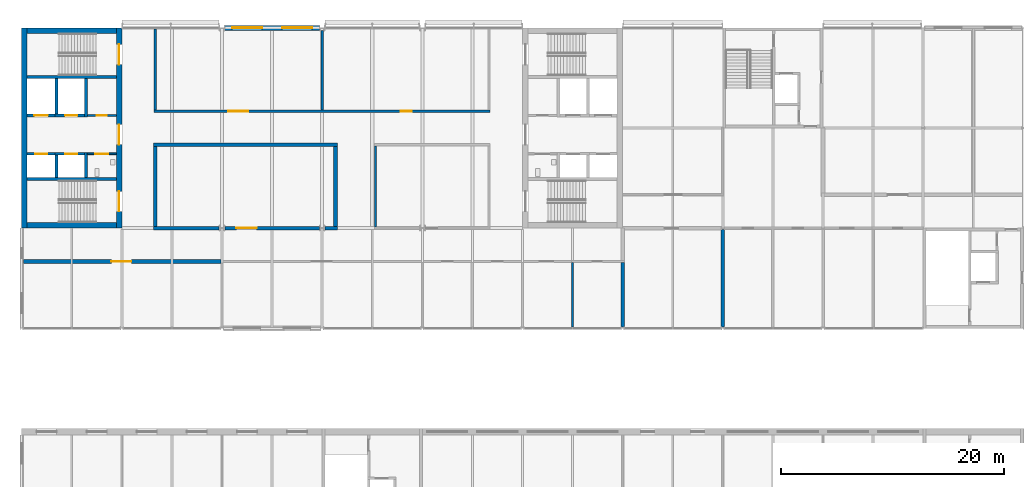
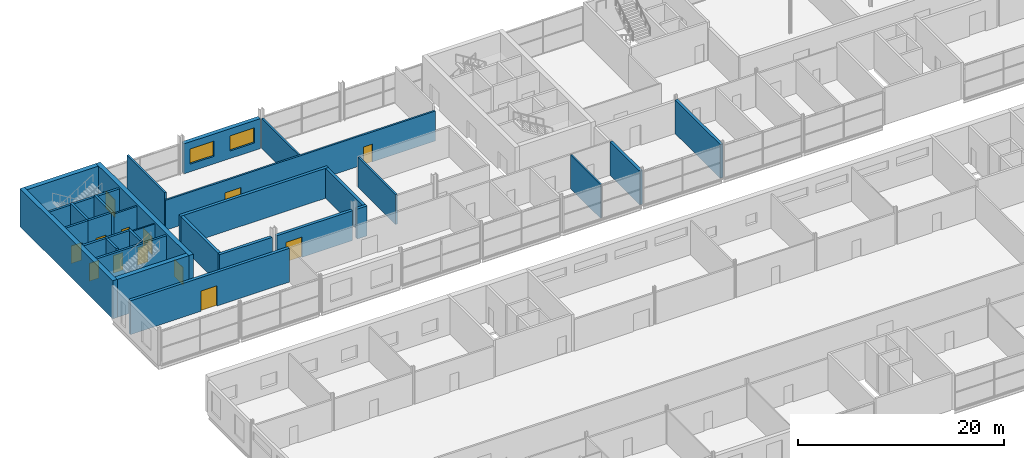
# One storey, part 119 of 138: 31 walls, 13 doors, 2 windows, 15 openings.
"""IFC4 building model written with IfcOpenShell, lengths in metres."""

import ifcopenshell
import ifcopenshell.guid

model = None  # the IFC model being written
_history = None  # IfcOwnerHistory: only IFC2X3 demands one
_inside = {}  # id of a spatial element -> (the spatial element, [elements in it])
_under = {}  # id of a project, library or spatial element -> (it, [spatial elements below it])
_declared = {}  # id of a project -> (the project, [libraries it declares])
_typed = {}  # id of a type object -> (the type object, [elements of that type])
_made_of = {}  # id of a material, layer set ... -> (it, [elements and type objects made of it])


def new_model(schema):
    """Start an empty IFC model of exactly this schema.

    Asked for "IFC4X3", IfcOpenShell would pick the latest addendum, in which some entities
    have other attributes; the version numbers below select the first issue.
    IFC2X3 requires an IfcOwnerHistory on every rooted entity: one is made here for all.
    """
    global model, _history
    if schema == "IFC4X3":
        model = ifcopenshell.file(schema_version=(4, 3, 0, 0))
    else:
        model = ifcopenshell.file(schema=schema)
    _inside.clear()
    _under.clear()
    _declared.clear()
    _typed.clear()
    _made_of.clear()
    _history = None
    if model.schema == "IFC2X3":
        org = make("IfcOrganization", Name="unknown")
        user = make(
            "IfcPersonAndOrganization",
            ThePerson=make("IfcPerson", FamilyName="unknown"),
            TheOrganization=org,
        )
        app = make(
            "IfcApplication",
            ApplicationDeveloper=org,
            Version="unknown",
            ApplicationFullName="unknown",
            ApplicationIdentifier="unknown",
        )
        _history = make(
            "IfcOwnerHistory",
            OwningUser=user,
            OwningApplication=app,
            ChangeAction="ADDED",
            CreationDate=0,
        )
    return model


def make(cls, **values):
    """One entity of the class cls with the attributes given. An attribute that is None is left unset."""
    return model.create_entity(
        cls, **{name: value for name, value in values.items() if value is not None}
    )


def rooted(cls, **values):
    """An entity with a GlobalId (a new one), such as an element, a storey or a relation."""
    return make(cls, GlobalId=ifcopenshell.guid.new(), OwnerHistory=_history, **values)


def si_unit(unit_type, name, prefix=None):
    """IfcSIUnit, for example si_unit("LENGTHUNIT", "METRE", prefix="MILLI")."""
    return make("IfcSIUnit", UnitType=unit_type, Prefix=prefix, Name=name)


def assignment(units):
    """IfcUnitAssignment: the units of a project."""
    return None if units is None else make("IfcUnitAssignment", Units=units)


def point(xyz):
    """IfcCartesianPoint."""
    return None if xyz is None else make("IfcCartesianPoint", Coordinates=xyz)


def direction(xyz):
    """IfcDirection."""
    return None if xyz is None else make("IfcDirection", DirectionRatios=xyz)


def frame(location, z_axis=None, x_axis=None):
    """IfcAxis2Placement3D, a coordinate frame: its origin and axes. An axis left out is left unset."""
    return make(
        "IfcAxis2Placement3D",
        Location=point(location),
        Axis=direction(z_axis),
        RefDirection=direction(x_axis),
    )


def frame_2d(location, x_axis=None):
    """IfcAxis2Placement2D, a coordinate frame in the plane: its origin and x axis."""
    return make(
        "IfcAxis2Placement2D", Location=point(location), RefDirection=direction(x_axis)
    )


def origin():
    """The frame at (0, 0, 0) with its axes left unset."""
    return frame((0.0, 0.0, 0.0))


def place(relative_to, where):
    """IfcLocalPlacement: puts the frame where relative to a parent placement (None: the world)."""
    return make(
        "IfcLocalPlacement", PlacementRelTo=relative_to, RelativePlacement=where
    )


def context(
    kind, dimensions, precision=None, world=None, true_north=None, identifier=None
):
    """IfcGeometricRepresentationContext, for example the 3D "Model" context."""
    return make(
        "IfcGeometricRepresentationContext",
        ContextIdentifier=identifier,
        ContextType=kind,
        CoordinateSpaceDimension=dimensions,
        Precision=precision,
        WorldCoordinateSystem=world,
        TrueNorth=true_north,
    )


def subcontext(parent, identifier, kind, view, scale=None):
    """IfcGeometricRepresentationSubContext, for example "Body" below "Model"."""
    return make(
        "IfcGeometricRepresentationSubContext",
        ContextIdentifier=identifier,
        ContextType=kind,
        ParentContext=parent,
        TargetScale=scale,
        TargetView=view,
    )


def project(units=None, contexts=None):
    """IfcProject with its units and contexts."""
    return rooted(
        "IfcProject",
        Name="project",
        RepresentationContexts=contexts,
        UnitsInContext=assignment(units),
    )


def spatial(cls, under=None, at=None, **own):
    """A site, building, storey or space (cls), placed at a placement, below another one or the project."""
    s = rooted(cls, ObjectPlacement=at, **own)
    if under is not None:
        _under.setdefault(under.id(), (under, []))[1].append(s)
    return s


def profile(cls, at=None, kind="AREA", **sizes):
    """A parametric profile (cls). Its sizes go by their IFC names, for example OverallWidth=200.0."""
    return make(cls, ProfileType=kind, Position=at, **sizes)


def rectangle(**sizes):
    """IfcRectangleProfileDef."""
    return profile("IfcRectangleProfileDef", **sizes)


def extrude(swept, where, along, depth):
    """IfcExtrudedAreaSolid: the profile swept, set in the frame where, extruded along a direction by depth."""
    return make(
        "IfcExtrudedAreaSolid",
        SweptArea=swept,
        Position=where,
        ExtrudedDirection=direction(along),
        Depth=depth,
    )


def shape(context_of_items, identifier, shape_type, items):
    """IfcShapeRepresentation: the items that make up one representation, for example the "Body"."""
    return make(
        "IfcShapeRepresentation",
        ContextOfItems=context_of_items,
        RepresentationIdentifier=identifier,
        RepresentationType=shape_type,
        Items=items,
    )


def material(Name=None, Category=None):
    """IfcMaterial."""
    return make("IfcMaterial", Name=Name, Category=Category)


def layer(
    of_material, thickness, ventilated=None, Name=None, Category=None, Priority=None
):
    """IfcMaterialLayer: one layer of a wall or slab, of a material (None: an air gap)."""
    return make(
        "IfcMaterialLayer",
        Material=of_material,
        LayerThickness=thickness,
        IsVentilated=ventilated,
        Name=Name,
        Category=Category,
        Priority=Priority,
    )


def layer_set(layers, Name=None):
    """IfcMaterialLayerSet."""
    return make("IfcMaterialLayerSet", MaterialLayers=layers, LayerSetName=Name)


def made_of(thing, what):
    """Note that an element or type object is made of a material, layer set ...; save() writes the relation."""
    if what is not None:
        _made_of.setdefault(what.id(), (what, []))[1].append(thing)
    return thing


def type_object(cls, material=None, **own):
    """A type object (cls), such as IfcWallType, which elements share."""
    return made_of(rooted(cls, **own), material)


def element(
    cls,
    number,
    at=None,
    inside=None,
    cuts=None,
    type_object=None,
    material=None,
    context=None,
    identifier="Body",
    shape_type=None,
    held_by="IfcProductDefinitionShape",
    body=None,
    shapes=None,
    **own,
):
    """One element of the class cls, such as IfcWall. Its Tag is "e" and its number.

    at: its placement. inside: the storey or other place that contains it. cuts: it is an
    opening in that element (IfcRelVoidsElement). A single representation is given by context,
    identifier, shape_type and body (its items); several are given by shapes. held_by: the class
    of the entity that holds the representations. save() writes the other relations.
    """
    e = rooted(cls, Tag="e%d" % number, ObjectPlacement=at, **own)
    if body is not None:
        shapes = [shape(context, identifier, shape_type, body)]
    if shapes is not None:
        e.Representation = make(held_by, Representations=shapes)
    if inside is not None:
        _inside.setdefault(inside.id(), (inside, []))[1].append(e)
    if cuts is not None:
        rooted(
            "IfcRelVoidsElement", RelatingBuildingElement=cuts, RelatedOpeningElement=e
        )
    if type_object is not None:
        _typed.setdefault(type_object.id(), (type_object, []))[1].append(e)
    return made_of(e, material)


def fill(opening, filler):
    """IfcRelFillsElement: the door or window that sits in an opening."""
    return rooted(
        "IfcRelFillsElement",
        RelatingOpeningElement=opening,
        RelatedBuildingElement=filler,
    )


def aggregate(whole, parts):
    """IfcRelAggregates: a whole, such as a stair, and the parts it consists of."""
    return rooted("IfcRelAggregates", RelatingObject=whole, RelatedObjects=parts)


def save(model, path):
    """Write the relations noted so far, then the file.

    IfcRelAggregates (storeys below a building ...), IfcRelContainedInSpatialStructure (elements
    in a storey), IfcRelDefinesByType, IfcRelAssociatesMaterial and IfcRelDeclares: one each for
    every whole, place, type object, material and project.
    """
    for whole, parts in _under.values():
        aggregate(whole, parts)
    for where, things in _inside.values():
        rooted(
            "IfcRelContainedInSpatialStructure",
            RelatedElements=things,
            RelatingStructure=where,
        )
    for kind, things in _typed.values():
        rooted("IfcRelDefinesByType", RelatedObjects=things, RelatingType=kind)
    for what, things in _made_of.values():
        rooted("IfcRelAssociatesMaterial", RelatedObjects=things, RelatingMaterial=what)
    for by, libraries in _declared.values():
        rooted("IfcRelDeclares", RelatingContext=by, RelatedDefinitions=libraries)
    model.write(path)


model = new_model("IFC4")

# Units and contexts
model_context = context("Model", 3, precision=1e-05, world=origin(), true_north=direction((0.0, 1.0)))
body_context = subcontext(model_context, "Body", "Model", "MODEL_VIEW")
ifc_project = project(units=[si_unit("LENGTHUNIT", "METRE"), si_unit("AREAUNIT", "SQUARE_METRE"), si_unit("VOLUMEUNIT", "CUBIC_METRE"), si_unit("PLANEANGLEUNIT", "RADIAN"), si_unit("MASSUNIT", "GRAM", prefix="KILO")], contexts=[model_context])

# Site, building, storey
site_placement = place(None, origin())
site = spatial("IfcSite", under=ifc_project, at=site_placement, CompositionType="ELEMENT")
building_placement = place(site_placement, origin())
building = spatial("IfcBuilding", under=site, at=building_placement, Name="Corbel Yard City Hall", CompositionType="ELEMENT")
storey_placement = place(building_placement, frame((0.0, 0.0, 10.5)))
storey = spatial("IfcBuildingStorey", under=building, at=storey_placement, Name="L02", CompositionType="ELEMENT", Elevation=10.5)

# Wall, openings, windows
ifc_material_1 = material(Name="Sandstone cladding", Category="masonry")
ifc_layer_1 = layer(ifc_material_1, 0.06005859375)
ifc_material_2 = material(Name="Air cavity", Category="air")
ifc_layer_2 = layer(ifc_material_2, 0.0400390625)
ifc_material_3 = material(Name="Concrete N40 (40 MPa)", Category="concrete")
ifc_layer_3 = layer(ifc_material_3, 0.25)
ifc_material_4 = material(Name="Mineral wool", Category="insulation")
ifc_layer_4 = layer(ifc_material_4, 0.10009765625)
ifc_layer_set_1 = layer_set([ifc_layer_1, ifc_layer_2, ifc_layer_3, ifc_layer_4], Name="Concrete N40 (40 MPa)")
wall_type_1 = type_object("IfcWallType", Name="EW2", PredefinedType="SOLIDWALL", material=ifc_layer_set_1)
wall_1_placement = place(storey_placement, frame((18.239990234375, 117.0, 0.0), z_axis=(0.0, 0.0, 1.0), x_axis=(1.0, 0.0, 0.0)))
wall_1 = element("IfcWall", 1, at=wall_1_placement, inside=storey, type_object=wall_type_1, Name="Entrance pier wall", PredefinedType="SOLIDWALL", context=body_context, shape_type="SweptSolid", body=[
    extrude(rectangle(XDim=8.52001953125, YDim=0.449951171875, at=frame_2d((4.260009765625, 0.0))), origin(), (0.0, 0.0, 1.0), 3.5400390625),
])
opening_1_placement = place(wall_1_placement, frame((0.659912109375, 0.0, 0.89990234375)))
opening_1 = element("IfcOpeningElement", 2, at=opening_1_placement, cuts=wall_1, Name="Opening WN16", PredefinedType="OPENING", context=body_context, shape_type="SweptSolid", body=[
    extrude(rectangle(XDim=2.699951171875, YDim=1.800048828125, at=frame_2d((1.35009765625, 0.89990234375))), frame((0.0, 0.23486328125, 0.0), z_axis=(0.0, -1.0, 0.0), x_axis=(1.0, 0.0, 0.0)), (0.0, 0.0, 1.0), 0.469970703125),
])
opening_2_placement = place(wall_1_placement, frame((5.159912109375, 0.0, 0.89990234375)))
opening_2 = element("IfcOpeningElement", 3, at=opening_2_placement, cuts=wall_1, Name="Opening WN16", PredefinedType="OPENING", context=body_context, shape_type="SweptSolid", body=[
    extrude(rectangle(XDim=2.699951171875, YDim=1.800048828125, at=frame_2d((1.35009765625, 0.89990234375))), frame((0.0, 0.23486328125, 0.0), z_axis=(0.0, -1.0, 0.0), x_axis=(1.0, 0.0, 0.0)), (0.0, 0.0, 1.0), 0.469970703125),
])
ifc_material_5 = material(Name="Aluminium frame, double glazed low-e glass", Category="aluminium")
window_type = type_object("IfcWindowType", Name="WN16", PartitioningType="SINGLE_PANEL", PredefinedType="WINDOW", material=ifc_material_5)
window_1_placement = place(opening_1_placement, origin())
window_1 = element("IfcWindow", 4, at=window_1_placement, inside=storey, type_object=window_type, Name="Window WN16 L02", OverallHeight=1.800048828125, OverallWidth=2.699951171875, PartitioningType="SINGLE_PANEL", PredefinedType="WINDOW", context=body_context, shape_type="SweptSolid", body=[
    extrude(rectangle(XDim=2.699951171875, YDim=1.800048828125, at=frame_2d((1.35009765625, 0.89990234375))), frame((0.0, 0.030029296875, 0.0), z_axis=(0.0, -1.0, 0.0), x_axis=(1.0, 0.0, 0.0)), (0.0, 0.0, 1.0), 0.06005859375),
])
fill(opening_1, window_1)
window_2_placement = place(opening_2_placement, origin())
window_2 = element("IfcWindow", 5, at=window_2_placement, inside=storey, type_object=window_type, Name="Window WN16 L02", OverallHeight=1.800048828125, OverallWidth=2.699951171875, PartitioningType="SINGLE_PANEL", PredefinedType="WINDOW", context=body_context, shape_type="SweptSolid", body=[
    extrude(rectangle(XDim=2.699951171875, YDim=1.800048828125, at=frame_2d((1.35009765625, 0.89990234375))), frame((0.0, 0.030029296875, 0.0), z_axis=(0.0, -1.0, 0.0), x_axis=(1.0, 0.0, 0.0)), (0.0, 0.0, 1.0), 0.06005859375),
])
fill(opening_2, window_2)

# Walls
ifc_layer_5 = layer(ifc_material_3, 0.25)
ifc_layer_set_2 = layer_set([ifc_layer_5], Name="Concrete N40 (40 MPa)")
wall_type_2 = type_object("IfcWallType", Name="IW2", PredefinedType="SOLIDWALL", material=ifc_layer_set_2)
for number, where, z_axis, x_axis, name in (
    (6, (8.5, 103.425048828125, 0.0), (0.0, 0.0, 1.0), (-1.0, 0.0, 0.0), "Stair enclosure wall"),
    (7, (8.5, 112.574951171875, 0.0), (0.0, 0.0, 1.0), (-1.0, 0.0, 0.0), "Stair enclosure wall"),
):
    element("IfcWall", number, at=place(storey_placement, frame(where, z_axis=z_axis, x_axis=x_axis)), inside=storey, type_object=wall_type_2, Name=name, PredefinedType="SOLIDWALL", context=body_context, shape_type="SweptSolid", body=[
        extrude(rectangle(XDim=8.0, YDim=0.25, at=frame_2d((4.0, 0.0))), origin(), (0.0, 0.0, 1.0), 4.25),
    ])
wall_2_placement = place(storey_placement, frame((5.77490234375, 103.550048828125, 0.0), z_axis=(0.0, 0.0, 1.0), x_axis=(0.0, 1.0, 0.0)))
element("IfcWall", 8, at=wall_2_placement, inside=storey, type_object=wall_type_2, Name="Lift LP22 shaft wall", PredefinedType="SOLIDWALL", context=body_context, shape_type="SweptSolid", body=[
    extrude(rectangle(XDim=2.25, YDim=0.25, at=frame_2d((1.125, 0.0))), origin(), (0.0, 0.0, 1.0), 4.5),
])
wall_3_placement = place(storey_placement, frame((3.125, 103.550048828125, 0.0), z_axis=(0.0, 0.0, 1.0), x_axis=(0.0, 1.0, 0.0)))
element("IfcWall", 9, at=wall_3_placement, inside=storey, type_object=wall_type_2, Name="Lift LP22 shaft wall", PredefinedType="SOLIDWALL", context=body_context, shape_type="SweptSolid", body=[
    extrude(rectangle(XDim=2.0, YDim=0.25, at=frame_2d((1.0, 0.0))), origin(), (0.0, 0.0, 1.0), 4.5),
])

# Wall, opening, door
wall_4_placement = place(storey_placement, frame((5.64990234375, 105.675048828125, 0.0), z_axis=(0.0, 0.0, 1.0), x_axis=(-1.0, 0.0, 0.0)))
wall_4 = element("IfcWall", 10, at=wall_4_placement, inside=storey, type_object=wall_type_2, Name="Lift LP22 shaft wall", PredefinedType="SOLIDWALL", context=body_context, shape_type="SweptSolid", body=[
    extrude(rectangle(XDim=2.64990234375, YDim=0.25, at=frame_2d((1.324951171875, 0.0))), origin(), (0.0, 0.0, 1.0), 4.5),
])
opening_3_placement = place(wall_4_placement, frame((0.64990234375, 0.0, 0.0)))
opening_3 = element("IfcOpeningElement", 11, at=opening_3_placement, cuts=wall_4, Name="Opening L02-182", PredefinedType="OPENING", context=body_context, shape_type="SweptSolid", body=[
    extrude(rectangle(XDim=1.10009765625, YDim=2.10009765625, at=frame_2d((0.550048828125, 1.050048828125))), frame((0.0, 0.135009765625, 0.0), z_axis=(0.0, -1.0, 0.0), x_axis=(1.0, 0.0, 0.0)), (0.0, 0.0, 1.0), 0.27001953125),
])
ifc_material_6 = material(Name="Stainless steel Grade 316", Category="steel")
door_type_1 = type_object("IfcDoorType", Name="LD1", OperationType="DOUBLE_DOOR_SLIDING", PredefinedType="DOOR", material=ifc_material_6)
door_1_placement = place(opening_3_placement, origin())
door_1 = element("IfcDoor", 12, at=door_1_placement, inside=storey, type_object=door_type_1, Name="Lift LP22 landing door", OperationType="DOUBLE_DOOR_SLIDING", OverallHeight=2.10009765625, OverallWidth=1.10009765625, PredefinedType="DOOR", context=body_context, shape_type="SweptSolid", body=[
    extrude(rectangle(XDim=1.10009765625, YDim=2.10009765625, at=frame_2d((0.550048828125, 1.050048828125))), frame((0.0, 0.02490234375, 0.0), z_axis=(0.0, -1.0, 0.0), x_axis=(1.0, 0.0, 0.0)), (0.0, 0.0, 1.0), 0.050048828125),
])
fill(opening_3, door_1)

wall_5_placement = place(storey_placement, frame((3.0, 105.675048828125, 0.0), z_axis=(0.0, 0.0, 1.0), x_axis=(-1.0, 0.0, 0.0)))
wall_5 = element("IfcWall", 13, at=wall_5_placement, inside=storey, type_object=wall_type_2, Name="Lift LP23 shaft wall", PredefinedType="SOLIDWALL", context=body_context, shape_type="SweptSolid", body=[
    extrude(rectangle(XDim=2.5, YDim=0.25, at=frame_2d((1.25, 0.0))), origin(), (0.0, 0.0, 1.0), 4.5),
])
opening_4_placement = place(wall_5_placement, frame((0.699951171875, 0.0, 0.0)))
opening_4 = element("IfcOpeningElement", 14, at=opening_4_placement, cuts=wall_5, Name="Opening L02-183", PredefinedType="OPENING", context=body_context, shape_type="SweptSolid", body=[
    extrude(rectangle(XDim=1.10009765625, YDim=2.10009765625, at=frame_2d((0.550048828125, 1.050048828125))), frame((0.0, 0.135009765625, 0.0), z_axis=(0.0, -1.0, 0.0), x_axis=(1.0, 0.0, 0.0)), (0.0, 0.0, 1.0), 0.27001953125),
])
door_2_placement = place(opening_4_placement, origin())
door_2 = element("IfcDoor", 15, at=door_2_placement, inside=storey, type_object=door_type_1, Name="Lift LP23 landing door", OperationType="DOUBLE_DOOR_SLIDING", OverallHeight=2.10009765625, OverallWidth=1.10009765625, PredefinedType="DOOR", context=body_context, shape_type="SweptSolid", body=[
    extrude(rectangle(XDim=1.10009765625, YDim=2.10009765625, at=frame_2d((0.550048828125, 1.050048828125))), frame((0.0, 0.02490234375, 0.0), z_axis=(0.0, -1.0, 0.0), x_axis=(1.0, 0.0, 0.0)), (0.0, 0.0, 1.0), 0.050048828125),
])
fill(opening_4, door_2)

# Walls
wall_6_placement = place(storey_placement, frame((5.77490234375, 109.0, 0.0), z_axis=(0.0, 0.0, 1.0), x_axis=(0.0, 1.0, 0.0)))
element("IfcWall", 16, at=wall_6_placement, inside=storey, type_object=wall_type_2, Name="Lift LP24 shaft wall", PredefinedType="SOLIDWALL", context=body_context, shape_type="SweptSolid", body=[
    extrude(rectangle(XDim=3.449951171875, YDim=0.25, at=frame_2d((1.72509765625, 0.0))), origin(), (0.0, 0.0, 1.0), 4.5),
])
wall_7_placement = place(storey_placement, frame((3.125, 109.25, 0.0), z_axis=(0.0, 0.0, 1.0), x_axis=(0.0, 1.0, 0.0)))
element("IfcWall", 17, at=wall_7_placement, inside=storey, type_object=wall_type_2, Name="Lift LP24 shaft wall", PredefinedType="SOLIDWALL", context=body_context, shape_type="SweptSolid", body=[
    extrude(rectangle(XDim=3.199951171875, YDim=0.25, at=frame_2d((1.60009765625, 0.0))), origin(), (0.0, 0.0, 1.0), 4.5),
])

# Wall, opening, door
wall_8_placement = place(storey_placement, frame((5.64990234375, 109.125, 0.0), z_axis=(0.0, 0.0, 1.0), x_axis=(-1.0, 0.0, 0.0)))
wall_8 = element("IfcWall", 18, at=wall_8_placement, inside=storey, type_object=wall_type_2, Name="Lift LP24 shaft wall", PredefinedType="SOLIDWALL", context=body_context, shape_type="SweptSolid", body=[
    extrude(rectangle(XDim=2.64990234375, YDim=0.25, at=frame_2d((1.324951171875, 0.0))), origin(), (0.0, 0.0, 1.0), 4.5),
])
opening_5_placement = place(wall_8_placement, frame((0.64990234375, 0.0, 0.0)))
opening_5 = element("IfcOpeningElement", 19, at=opening_5_placement, cuts=wall_8, Name="Opening L02-184", PredefinedType="OPENING", context=body_context, shape_type="SweptSolid", body=[
    extrude(rectangle(XDim=1.10009765625, YDim=2.10009765625, at=frame_2d((0.550048828125, 1.050048828125))), frame((0.0, 0.135009765625, 0.0), z_axis=(0.0, -1.0, 0.0), x_axis=(1.0, 0.0, 0.0)), (0.0, 0.0, 1.0), 0.27001953125),
])
door_3_placement = place(opening_5_placement, origin())
door_3 = element("IfcDoor", 20, at=door_3_placement, inside=storey, type_object=door_type_1, Name="Lift LP24 landing door", OperationType="DOUBLE_DOOR_SLIDING", OverallHeight=2.10009765625, OverallWidth=1.10009765625, PredefinedType="DOOR", context=body_context, shape_type="SweptSolid", body=[
    extrude(rectangle(XDim=1.10009765625, YDim=2.10009765625, at=frame_2d((0.550048828125, 1.050048828125))), frame((0.0, 0.02490234375, 0.0), z_axis=(0.0, -1.0, 0.0), x_axis=(1.0, 0.0, 0.0)), (0.0, 0.0, 1.0), 0.050048828125),
])
fill(opening_5, door_3)

wall_9_placement = place(storey_placement, frame((3.0, 109.125, 0.0), z_axis=(0.0, 0.0, 1.0), x_axis=(-1.0, 0.0, 0.0)))
wall_9 = element("IfcWall", 21, at=wall_9_placement, inside=storey, type_object=wall_type_2, Name="Lift LF1 shaft wall", PredefinedType="SOLIDWALL", context=body_context, shape_type="SweptSolid", body=[
    extrude(rectangle(XDim=2.5, YDim=0.25, at=frame_2d((1.25, 0.0))), origin(), (0.0, 0.0, 1.0), 4.5),
])
opening_6_placement = place(wall_9_placement, frame((0.64990234375, 0.0, 0.0)))
opening_6 = element("IfcOpeningElement", 22, at=opening_6_placement, cuts=wall_9, Name="Opening L02-185", PredefinedType="OPENING", context=body_context, shape_type="SweptSolid", body=[
    extrude(rectangle(XDim=1.199951171875, YDim=2.10009765625, at=frame_2d((0.60009765625, 1.050048828125))), frame((0.0, 0.135009765625, 0.0), z_axis=(0.0, -1.0, 0.0), x_axis=(1.0, 0.0, 0.0)), (0.0, 0.0, 1.0), 0.27001953125),
])
door_type_2 = type_object("IfcDoorType", Name="LD2", OperationType="DOUBLE_DOOR_SLIDING", PredefinedType="DOOR", material=ifc_material_6)
door_4_placement = place(opening_6_placement, origin())
door_4 = element("IfcDoor", 23, at=door_4_placement, inside=storey, type_object=door_type_2, Name="Lift LF1 landing door", OperationType="DOUBLE_DOOR_SLIDING", OverallHeight=2.10009765625, OverallWidth=1.199951171875, PredefinedType="DOOR", context=body_context, shape_type="SweptSolid", body=[
    extrude(rectangle(XDim=1.199951171875, YDim=2.10009765625, at=frame_2d((0.60009765625, 1.050048828125))), frame((0.0, 0.02490234375, 0.0), z_axis=(0.0, -1.0, 0.0), x_axis=(1.0, 0.0, 0.0)), (0.0, 0.0, 1.0), 0.050048828125),
])
fill(opening_6, door_4)

# Wall, openings, doors
ifc_material_7 = material(Name="Gypsum plasterboard", Category="gypsum")
ifc_layer_6 = layer(ifc_material_7, 0.031982421875)
ifc_material_8 = material(Name="Steel Grade G550 (550 MPa yield)", Category="steel")
ifc_layer_7 = layer(ifc_material_8, 0.135986328125)
ifc_layer_8 = layer(ifc_material_7, 0.031982421875)
ifc_layer_set_3 = layer_set([ifc_layer_6, ifc_layer_7, ifc_layer_8], Name="Steel Grade G550 (550 MPa yield)")
wall_type_3 = type_object("IfcWallType", Name="PT2", PredefinedType="PARTITIONING", material=ifc_layer_set_3)
wall_10_placement = place(storey_placement, frame((11.89990234375, 109.5, 0.0), z_axis=(0.0, 0.0, 1.0), x_axis=(1.0, 0.0, 0.0)))
wall_10 = element("IfcWall", 24, at=wall_10_placement, inside=storey, type_object=wall_type_3, Name="Acoustic wall", PredefinedType="PARTITIONING", context=body_context, shape_type="SweptSolid", body=[
    extrude(rectangle(XDim=30.2001953125, YDim=0.199951171875, at=frame_2d((15.10009765625, 0.0))), origin(), (0.0, 0.0, 1.0), 3.550048828125),
])
opening_7_placement = place(wall_10_placement, frame((6.64990234375, 0.0, 0.0)))
opening_7 = element("IfcOpeningElement", 25, at=opening_7_placement, cuts=wall_10, Name="Opening L02-159", PredefinedType="OPENING", context=body_context, shape_type="SweptSolid", body=[
    extrude(rectangle(XDim=1.800048828125, YDim=2.10009765625, at=frame_2d((0.89990234375, 1.050048828125))), frame((0.0, 0.10986328125, 0.0), z_axis=(0.0, -1.0, 0.0), x_axis=(1.0, 0.0, 0.0)), (0.0, 0.0, 1.0), 0.219970703125),
])
opening_8_placement = place(wall_10_placement, frame((22.14990234375, 0.0, 0.0)))
opening_8 = element("IfcOpeningElement", 26, at=opening_8_placement, cuts=wall_10, Name="Opening L02-160", PredefinedType="OPENING", context=body_context, shape_type="SweptSolid", body=[
    extrude(rectangle(XDim=1.0, YDim=2.10009765625, at=frame_2d((0.5, 1.050048828125))), frame((0.0, 0.10986328125, 0.0), z_axis=(0.0, -1.0, 0.0), x_axis=(1.0, 0.0, 0.0)), (0.0, 0.0, 1.0), 0.219970703125),
])
ifc_material_9 = material(Name="Timber", Category="wood")
door_type_3 = type_object("IfcDoorType", Name="D1", OperationType="SINGLE_SWING_LEFT", PredefinedType="DOOR", material=ifc_material_9)
door_5_placement = place(opening_8_placement, origin())
door_5 = element("IfcDoor", 27, at=door_5_placement, inside=storey, type_object=door_type_3, Name="Door Staff Wellbeing Room", OperationType="SINGLE_SWING_RIGHT", OverallHeight=2.10009765625, OverallWidth=1.0, PredefinedType="DOOR", context=body_context, shape_type="SweptSolid", body=[
    extrude(rectangle(XDim=1.0, YDim=2.10009765625, at=frame_2d((0.5, 1.050048828125))), frame((0.0, 0.02490234375, 0.0), z_axis=(0.0, -1.0, 0.0), x_axis=(1.0, 0.0, 0.0)), (0.0, 0.0, 1.0), 0.050048828125),
])
fill(opening_8, door_5)
door_type_4 = type_object("IfcDoorType", Name="D3", OperationType="DOUBLE_DOOR_SINGLE_SWING", PredefinedType="DOOR", material=ifc_material_9)
door_6_placement = place(opening_7_placement, origin())
door_6 = element("IfcDoor", 28, at=door_6_placement, inside=storey, type_object=door_type_4, Name="Door Computer Training Room", OperationType="DOUBLE_DOOR_SINGLE_SWING", OverallHeight=2.10009765625, OverallWidth=1.800048828125, PredefinedType="DOOR", context=body_context, shape_type="SweptSolid", body=[
    extrude(rectangle(XDim=1.800048828125, YDim=2.10009765625, at=frame_2d((0.89990234375, 1.050048828125))), frame((0.0, 0.02490234375, 0.0), z_axis=(0.0, -1.0, 0.0), x_axis=(1.0, 0.0, 0.0)), (0.0, 0.0, 1.0), 0.050048828125),
])
fill(opening_7, door_6)

# Walls
wall_11_placement = place(storey_placement, frame((12.0, 109.60009765625, 0.0), z_axis=(0.0, 0.0, 1.0), x_axis=(0.0, 1.0, 0.0)))
element("IfcWall", 29, at=wall_11_placement, inside=storey, type_object=wall_type_3, Name="Acoustic wall", PredefinedType="PARTITIONING", context=body_context, shape_type="SweptSolid", body=[
    extrude(rectangle(XDim=7.2998046875, YDim=0.199951171875, at=frame_2d((3.64990234375, 0.0))), origin(), (0.0, 0.0, 1.0), 4.35009765625),
])
wall_12_placement = place(storey_placement, frame((27.0, 109.60009765625, 0.0), z_axis=(0.0, 0.0, 1.0), x_axis=(0.0, 1.0, 0.0)))
element("IfcWall", 30, at=wall_12_placement, inside=storey, type_object=wall_type_3, Name="Acoustic wall", PredefinedType="PARTITIONING", context=body_context, shape_type="SweptSolid", body=[
    extrude(rectangle(XDim=7.14990234375, YDim=0.199951171875, at=frame_2d((3.574951171875, 0.0))), origin(), (0.0, 0.0, 1.0), 3.550048828125),
])
wall_13_placement = place(storey_placement, frame((31.800048828125, 99.10009765625, 0.0), z_axis=(0.0, 0.0, 1.0), x_axis=(0.0, 1.0, 0.0)))
element("IfcWall", 31, at=wall_13_placement, inside=storey, type_object=wall_type_3, Name="Acoustic wall", PredefinedType="PARTITIONING", context=body_context, shape_type="SweptSolid", body=[
    extrude(rectangle(XDim=7.2998046875, YDim=0.199951171875, at=frame_2d((3.64990234375, 0.0))), origin(), (0.0, 0.0, 1.0), 3.5400390625),
])

# Wall, opening, door
ifc_layer_9 = layer(ifc_material_7, 0.031982421875)
ifc_layer_10 = layer(ifc_material_8, 0.260986328125)
ifc_layer_11 = layer(ifc_material_7, 0.031982421875)
ifc_layer_set_4 = layer_set([ifc_layer_9, ifc_layer_10, ifc_layer_11], Name="Steel Grade G550 (550 MPa yield)")
wall_type_4 = type_object("IfcWallType", Name="PT20", PredefinedType="PARTITIONING", material=ifc_layer_set_4)
wall_14_placement = place(storey_placement, frame((0.14990234375, 96.0, 0.0), z_axis=(0.0, 0.0, 1.0), x_axis=(1.0, 0.0, 0.0)))
wall_14 = element("IfcWall", 32, at=wall_14_placement, inside=storey, type_object=wall_type_4, Name="Acoustic partition", PredefinedType="PARTITIONING", context=body_context, shape_type="SweptSolid", body=[
    extrude(rectangle(XDim=17.775146484375, YDim=0.324951171875, at=frame_2d((8.8876953125, 0.0))), origin(), (0.0, 0.0, 1.0), 3.998046875),
])
opening_9_placement = place(wall_14_placement, frame((7.89990234375, 0.0, 0.0)))
opening_9 = element("IfcOpeningElement", 33, at=opening_9_placement, cuts=wall_14, Name="Opening L02-151", PredefinedType="OPENING", context=body_context, shape_type="SweptSolid", body=[
    extrude(rectangle(XDim=1.800048828125, YDim=2.39990234375, at=frame_2d((0.89990234375, 1.199951171875))), frame((0.0, 0.17236328125, 0.0), z_axis=(0.0, -1.0, 0.0), x_axis=(1.0, 0.0, 0.0)), (0.0, 0.0, 1.0), 0.344970703125),
])
door_type_5 = type_object("IfcDoorType", Name="D38", OperationType="DOUBLE_DOOR_SINGLE_SWING", PredefinedType="DOOR", material=ifc_material_9)
door_7_placement = place(opening_9_placement, origin())
door_7 = element("IfcDoor", 34, at=door_7_placement, inside=storey, type_object=door_type_5, Name="Door Boardroom", OperationType="DOUBLE_DOOR_SINGLE_SWING", OverallHeight=2.39990234375, OverallWidth=1.800048828125, PredefinedType="DOOR", context=body_context, shape_type="SweptSolid", body=[
    extrude(rectangle(XDim=1.800048828125, YDim=2.39990234375, at=frame_2d((0.89990234375, 1.199951171875))), frame((0.0, 0.02490234375, 0.0), z_axis=(0.0, -1.0, 0.0), x_axis=(1.0, 0.0, 0.0)), (0.0, 0.0, 1.0), 0.050048828125),
])
fill(opening_9, door_7)

# Wall
wall_15_placement = place(storey_placement, frame((11.83740234375, 99.0, 0.0), z_axis=(0.0, 0.0, 1.0), x_axis=(1.0, 0.0, 0.0)))
element("IfcWall", 35, at=wall_15_placement, inside=storey, type_object=wall_type_4, Name="Acoustic partition", PredefinedType="PARTITIONING", context=body_context, shape_type="SweptSolid", body=[
    extrude(rectangle(XDim=5.91259765625, YDim=0.324951171875, at=frame_2d((2.956298828125, 0.0))), origin(), (0.0, 0.0, 1.0), 3.5400390625),
])

# Wall, opening, door
wall_16_placement = place(storey_placement, frame((18.25, 99.0, 0.0), z_axis=(0.0, 0.0, 1.0), x_axis=(1.0, 0.0, 0.0)))
wall_16 = element("IfcWall", 36, at=wall_16_placement, inside=storey, type_object=wall_type_4, Name="Acoustic partition", PredefinedType="PARTITIONING", context=body_context, shape_type="SweptSolid", body=[
    extrude(rectangle(XDim=8.5, YDim=0.324951171875, at=frame_2d((4.25, 0.0))), origin(), (0.0, 0.0, 1.0), 3.5400390625),
])
opening_10_placement = place(wall_16_placement, frame((1.050048828125, 0.0, 0.0)))
opening_10 = element("IfcOpeningElement", 37, at=opening_10_placement, cuts=wall_16, Name="Opening L02-157", PredefinedType="OPENING", context=body_context, shape_type="SweptSolid", body=[
    extrude(rectangle(XDim=1.800048828125, YDim=2.39990234375, at=frame_2d((0.89990234375, 1.199951171875))), frame((0.0, 0.17236328125, 0.0), z_axis=(0.0, -1.0, 0.0), x_axis=(1.0, 0.0, 0.0)), (0.0, 0.0, 1.0), 0.344970703125),
])
door_8_placement = place(opening_10_placement, origin())
door_8 = element("IfcDoor", 38, at=door_8_placement, inside=storey, type_object=door_type_5, Name="Door Lecture Theatre", OperationType="DOUBLE_DOOR_SINGLE_SWING", OverallHeight=2.39990234375, OverallWidth=1.800048828125, PredefinedType="DOOR", context=body_context, shape_type="SweptSolid", body=[
    extrude(rectangle(XDim=1.800048828125, YDim=2.39990234375, at=frame_2d((0.89990234375, 1.199951171875))), frame((0.0, 0.02490234375, 0.0), z_axis=(0.0, -1.0, 0.0), x_axis=(1.0, 0.0, 0.0)), (0.0, 0.0, 1.0), 0.050048828125),
])
fill(opening_10, door_8)

# Walls
wall_17_placement = place(storey_placement, frame((27.25, 99.0, 0.0), z_axis=(0.0, 0.0, 1.0), x_axis=(1.0, 0.0, 0.0)))
element("IfcWall", 39, at=wall_17_placement, inside=storey, type_object=wall_type_4, Name="Acoustic partition", PredefinedType="PARTITIONING", context=body_context, shape_type="SweptSolid", body=[
    extrude(rectangle(XDim=1.112548828125, YDim=0.324951171875, at=frame_2d((0.55615234375, 0.0))), origin(), (0.0, 0.0, 1.0), 3.5400390625),
])
wall_18_placement = place(storey_placement, frame((11.83740234375, 106.5, 0.0), z_axis=(0.0, 0.0, 1.0), x_axis=(1.0, 0.0, 0.0)))
element("IfcWall", 40, at=wall_18_placement, inside=storey, type_object=wall_type_4, Name="Acoustic partition", PredefinedType="PARTITIONING", context=body_context, shape_type="SweptSolid", body=[
    extrude(rectangle(XDim=16.525146484375, YDim=0.324951171875, at=frame_2d((8.2626953125, 0.0))), origin(), (0.0, 0.0, 1.0), 3.550048828125),
])
for number, where, z_axis, x_axis, name in (
    (41, (12.0, 99.16259765625, 0.0), (0.0, 0.0, 1.0), (0.0, 1.0, 0.0), "Acoustic partition"),
    (42, (28.199951171875, 99.16259765625, 0.0), (0.0, 0.0, 1.0), (0.0, 1.0, 0.0), "Acoustic partition"),
):
    element("IfcWall", number, at=place(storey_placement, frame(where, z_axis=z_axis, x_axis=x_axis)), inside=storey, type_object=wall_type_4, Name=name, PredefinedType="PARTITIONING", context=body_context, shape_type="SweptSolid", body=[
        extrude(rectangle(XDim=7.1748046875, YDim=0.324951171875, at=frame_2d((3.58740234375, 0.0))), origin(), (0.0, 0.0, 1.0), 3.5400390625),
    ])
ifc_material_10 = material(Name="Concrete block", Category="concrete")
ifc_layer_12 = layer(ifc_material_10, 0.300048828125)
ifc_layer_set_5 = layer_set([ifc_layer_12], Name="Concrete block")
wall_type_5 = type_object("IfcWallType", Name="PT24", PredefinedType="PARTITIONING", material=ifc_layer_set_5)
wall_19_placement = place(storey_placement, frame((54.0, 90.126953125, 0.0), z_axis=(0.0, 0.0, 1.0), x_axis=(0.0, 1.0, 0.0)))
element("IfcWall", 43, at=wall_19_placement, inside=storey, type_object=wall_type_5, Name="Rated plant wall", PredefinedType="PARTITIONING", context=body_context, shape_type="SweptSolid", body=[
    extrude(rectangle(XDim=5.79296875, YDim=0.300048828125, at=frame_2d((2.896484375, 0.0))), origin(), (0.0, 0.0, 1.0), 3.998046875),
])
wall_20_placement = place(storey_placement, frame((63.0, 90.126953125, 0.0), z_axis=(0.0, 0.0, 1.0), x_axis=(0.0, 1.0, 0.0)))
element("IfcWall", 44, at=wall_20_placement, inside=storey, type_object=wall_type_5, Name="Rated plant wall", PredefinedType="PARTITIONING", context=body_context, shape_type="SweptSolid", body=[
    extrude(rectangle(XDim=8.7431640625, YDim=0.300048828125, at=frame_2d((4.37158203125, 0.0))), origin(), (0.0, 0.0, 1.0), 3.998046875),
])
ifc_layer_13 = layer(ifc_material_7, 0.031982421875)
ifc_layer_14 = layer(ifc_material_8, 0.095947265625)
ifc_layer_15 = layer(ifc_material_7, 0.031982421875)
ifc_layer_set_6 = layer_set([ifc_layer_13, ifc_layer_14, ifc_layer_15], Name="Steel Grade G550 (550 MPa yield)")
wall_type_6 = type_object("IfcWallType", Name="PT3", PredefinedType="PARTITIONING", material=ifc_layer_set_6)
wall_21_placement = place(storey_placement, frame((49.5, 90.10009765625, 0.0), z_axis=(0.0, 0.0, 1.0), x_axis=(0.0, 1.0, 0.0)))
element("IfcWall", 45, at=wall_21_placement, inside=storey, type_object=wall_type_6, Name="Fire-resisting wall", PredefinedType="PARTITIONING", context=body_context, shape_type="SweptSolid", body=[
    extrude(rectangle(XDim=5.7998046875, YDim=0.159912109375, at=frame_2d((2.89990234375, 0.0))), origin(), (0.0, 0.0, 1.0), 3.998046875),
])

# Wall, opening, door
wall_22_placement = place(storey_placement, frame((8.5, 105.675048828125, 0.0), z_axis=(0.0, 0.0, 1.0), x_axis=(-1.0, 0.0, 0.0)))
wall_22 = element("IfcWall", 46, at=wall_22_placement, inside=storey, type_object=wall_type_6, Name="Accessible WC wall", PredefinedType="PARTITIONING", context=body_context, shape_type="SweptSolid", body=[
    extrude(rectangle(XDim=2.60009765625, YDim=0.159912109375, at=frame_2d((1.300048828125, 0.0))), origin(), (0.0, 0.0, 1.0), 4.25),
])
opening_11_placement = place(wall_22_placement, frame((0.699951171875, 0.0, 0.0)))
opening_11 = element("IfcOpeningElement", 47, at=opening_11_placement, cuts=wall_22, Name="Opening L02-193", PredefinedType="OPENING", context=body_context, shape_type="SweptSolid", body=[
    extrude(rectangle(XDim=1.199951171875, YDim=2.10009765625, at=frame_2d((0.60009765625, 1.050048828125))), frame((0.0, 0.08984375, 0.0), z_axis=(0.0, -1.0, 0.0), x_axis=(1.0, 0.0, 0.0)), (0.0, 0.0, 1.0), 0.179931640625),
])
ifc_material_11 = material(Name="Steel Grade G250", Category="steel")
door_type_6 = type_object("IfcDoorType", Name="FD7", OperationType="SINGLE_SWING_LEFT", PredefinedType="DOOR", material=ifc_material_11)
door_9_placement = place(opening_11_placement, origin())
door_9 = element("IfcDoor", 48, at=door_9_placement, inside=storey, type_object=door_type_6, Name="Door accessible WC West", OperationType="SINGLE_SWING_LEFT", OverallHeight=2.10009765625, OverallWidth=1.199951171875, PredefinedType="DOOR", context=body_context, shape_type="SweptSolid", body=[
    extrude(rectangle(XDim=1.199951171875, YDim=2.10009765625, at=frame_2d((0.60009765625, 1.050048828125))), frame((0.0, 0.02490234375, 0.0), z_axis=(0.0, -1.0, 0.0), x_axis=(1.0, 0.0, 0.0)), (0.0, 0.0, 1.0), 0.050048828125),
])
fill(opening_11, door_9)

ifc_layer_16 = layer(ifc_material_10, 0.18994140625)
ifc_layer_set_7 = layer_set([ifc_layer_16], Name="Concrete block")
wall_type_7 = type_object("IfcWallType", Name="PT4", PredefinedType="PARTITIONING", material=ifc_layer_set_7)
wall_23_placement = place(storey_placement, frame((8.5, 109.125, 0.0), z_axis=(0.0, 0.0, 1.0), x_axis=(-1.0, 0.0, 0.0)))
wall_23 = element("IfcWall", 49, at=wall_23_placement, inside=storey, type_object=wall_type_7, Name="Riser wall", PredefinedType="PARTITIONING", context=body_context, shape_type="SweptSolid", body=[
    extrude(rectangle(XDim=2.60009765625, YDim=0.18994140625, at=frame_2d((1.300048828125, 0.0))), origin(), (0.0, 0.0, 1.0), 4.25),
])
opening_12_placement = place(wall_23_placement, frame((0.840087890625, 0.0, 0.0)))
opening_12 = element("IfcOpeningElement", 50, at=opening_12_placement, cuts=wall_23, Name="Opening L02-194", PredefinedType="OPENING", context=body_context, shape_type="SweptSolid", body=[
    extrude(rectangle(XDim=0.919921875, YDim=2.10009765625, at=frame_2d((0.4599609375, 1.050048828125))), frame((0.0, 0.10498046875, 0.0), z_axis=(0.0, -1.0, 0.0), x_axis=(1.0, 0.0, 0.0)), (0.0, 0.0, 1.0), 0.2099609375),
])
door_type_7 = type_object("IfcDoorType", Name="FS4", OperationType="SINGLE_SWING_LEFT", PredefinedType="DOOR", material=ifc_material_11)
door_10_placement = place(opening_12_placement, frame((0.919921875, 0.0, 0.0), z_axis=(0.0, 0.0, 1.0), x_axis=(-1.0, 0.0, 0.0)))
door_10 = element("IfcDoor", 51, at=door_10_placement, inside=storey, type_object=door_type_7, Name="Door riser West", OperationType="SINGLE_SWING_RIGHT", OverallHeight=2.10009765625, OverallWidth=0.919921875, PredefinedType="DOOR", context=body_context, shape_type="SweptSolid", body=[
    extrude(rectangle(XDim=0.919921875, YDim=2.10009765625, at=frame_2d((0.4599609375, 1.050048828125))), frame((0.0, 0.02490234375, 0.0), z_axis=(0.0, -1.0, 0.0), x_axis=(1.0, 0.0, 0.0)), (0.0, 0.0, 1.0), 0.050048828125),
])
fill(opening_12, door_10)

# Wall
ifc_material_12 = material(Name="Concrete N50 (50 MPa)", Category="concrete")
ifc_layer_17 = layer(ifc_material_12, 0.5)
ifc_layer_set_8 = layer_set([ifc_layer_17], Name="Concrete N50 (50 MPa)")
wall_type_8 = type_object("IfcWallType", Name="Trunk wall 500", PredefinedType="SHEAR", material=ifc_layer_set_8)
wall_24_placement = place(storey_placement, frame((0.25, 99.0, 0.0), z_axis=(0.0, 0.0, 1.0), x_axis=(0.0, 1.0, 0.0)))
element("IfcWall", 52, at=wall_24_placement, inside=storey, type_object=wall_type_8, Name="Trunk W west wall", PredefinedType="SHEAR", context=body_context, shape_type="SweptSolid", body=[
    extrude(rectangle(XDim=18.0, YDim=0.5, at=frame_2d((9.0, 0.0))), origin(), (0.0, 0.0, 1.0), 4.5),
])

# Wall, openings, doors
wall_25_placement = place(storey_placement, frame((8.75, 99.0, 0.0), z_axis=(0.0, 0.0, 1.0), x_axis=(0.0, 1.0, 0.0)))
wall_25 = element("IfcWall", 53, at=wall_25_placement, inside=storey, type_object=wall_type_8, Name="Trunk W east wall", PredefinedType="SHEAR", context=body_context, shape_type="SweptSolid", body=[
    extrude(rectangle(XDim=18.0, YDim=0.5, at=frame_2d((9.0, 0.0))), origin(), (0.0, 0.0, 1.0), 4.5),
])
opening_13_placement = place(wall_25_placement, frame((1.5, 0.0, 0.0)))
opening_13 = element("IfcOpeningElement", 54, at=opening_13_placement, cuts=wall_25, Name="Opening L02-190", PredefinedType="OPENING", context=body_context, shape_type="SweptSolid", body=[
    extrude(rectangle(XDim=1.800048828125, YDim=2.10009765625, at=frame_2d((0.89990234375, 1.050048828125))), frame((0.0, 0.260009765625, 0.0), z_axis=(0.0, -1.0, 0.0), x_axis=(1.0, 0.0, 0.0)), (0.0, 0.0, 1.0), 0.52001953125),
])
opening_14_placement = place(wall_25_placement, frame((14.699951171875, 0.0, 0.0)))
opening_14 = element("IfcOpeningElement", 55, at=opening_14_placement, cuts=wall_25, Name="Opening L02-191", PredefinedType="OPENING", context=body_context, shape_type="SweptSolid", body=[
    extrude(rectangle(XDim=1.800048828125, YDim=2.10009765625, at=frame_2d((0.89990234375, 1.050048828125))), frame((0.0, 0.260009765625, 0.0), z_axis=(0.0, -1.0, 0.0), x_axis=(1.0, 0.0, 0.0)), (0.0, 0.0, 1.0), 0.52001953125),
])
opening_15_placement = place(wall_25_placement, frame((7.5, 0.0, 0.0)))
opening_15 = element("IfcOpeningElement", 56, at=opening_15_placement, cuts=wall_25, Name="Opening L02-192", PredefinedType="OPENING", context=body_context, shape_type="SweptSolid", body=[
    extrude(rectangle(XDim=1.800048828125, YDim=2.10009765625, at=frame_2d((0.89990234375, 1.050048828125))), frame((0.0, 0.260009765625, 0.0), z_axis=(0.0, -1.0, 0.0), x_axis=(1.0, 0.0, 0.0)), (0.0, 0.0, 1.0), 0.52001953125),
])
door_type_8 = type_object("IfcDoorType", Name="FS3", OperationType="DOUBLE_DOOR_SINGLE_SWING", PredefinedType="DOOR", material=ifc_material_11)
door_11_placement = place(opening_13_placement, origin())
door_11 = element("IfcDoor", 57, at=door_11_placement, inside=storey, type_object=door_type_8, Name="Door ST-W1", OperationType="DOUBLE_DOOR_SINGLE_SWING", OverallHeight=2.10009765625, OverallWidth=1.800048828125, PredefinedType="DOOR", context=body_context, shape_type="SweptSolid", body=[
    extrude(rectangle(XDim=1.800048828125, YDim=2.10009765625, at=frame_2d((0.89990234375, 1.050048828125))), frame((0.0, 0.02490234375, 0.0), z_axis=(0.0, -1.0, 0.0), x_axis=(1.0, 0.0, 0.0)), (0.0, 0.0, 1.0), 0.050048828125),
])
fill(opening_13, door_11)
door_12_placement = place(opening_14_placement, origin())
door_12 = element("IfcDoor", 58, at=door_12_placement, inside=storey, type_object=door_type_8, Name="Door ST-W2", OperationType="DOUBLE_DOOR_SINGLE_SWING", OverallHeight=2.10009765625, OverallWidth=1.800048828125, PredefinedType="DOOR", context=body_context, shape_type="SweptSolid", body=[
    extrude(rectangle(XDim=1.800048828125, YDim=2.10009765625, at=frame_2d((0.89990234375, 1.050048828125))), frame((0.0, 0.02490234375, 0.0), z_axis=(0.0, -1.0, 0.0), x_axis=(1.0, 0.0, 0.0)), (0.0, 0.0, 1.0), 0.050048828125),
])
fill(opening_14, door_12)
door_13_placement = place(opening_15_placement, origin())
door_13 = element("IfcDoor", 59, at=door_13_placement, inside=storey, type_object=door_type_8, Name="Door lift lobby West", OperationType="DOUBLE_DOOR_SINGLE_SWING", OverallHeight=2.10009765625, OverallWidth=1.800048828125, PredefinedType="DOOR", context=body_context, shape_type="SweptSolid", body=[
    extrude(rectangle(XDim=1.800048828125, YDim=2.10009765625, at=frame_2d((0.89990234375, 1.050048828125))), frame((0.0, 0.02490234375, 0.0), z_axis=(0.0, -1.0, 0.0), x_axis=(1.0, 0.0, 0.0)), (0.0, 0.0, 1.0), 0.050048828125),
])
fill(opening_15, door_13)

# Walls
for number, where, z_axis, x_axis, name in (
    (60, (0.5, 99.25, 0.0), (0.0, 0.0, 1.0), (1.0, 0.0, 0.0), "Trunk W south wall"),
    (61, (0.5, 116.75, 0.0), (0.0, 0.0, 1.0), (1.0, 0.0, 0.0), "Trunk W north wall"),
):
    element("IfcWall", number, at=place(storey_placement, frame(where, z_axis=z_axis, x_axis=x_axis)), inside=storey, type_object=wall_type_8, Name=name, PredefinedType="SHEAR", context=body_context, shape_type="SweptSolid", body=[
        extrude(rectangle(XDim=8.0, YDim=0.5, at=frame_2d((4.0, 0.0))), origin(), (0.0, 0.0, 1.0), 4.5),
    ])

save(model, "model.ifc")
